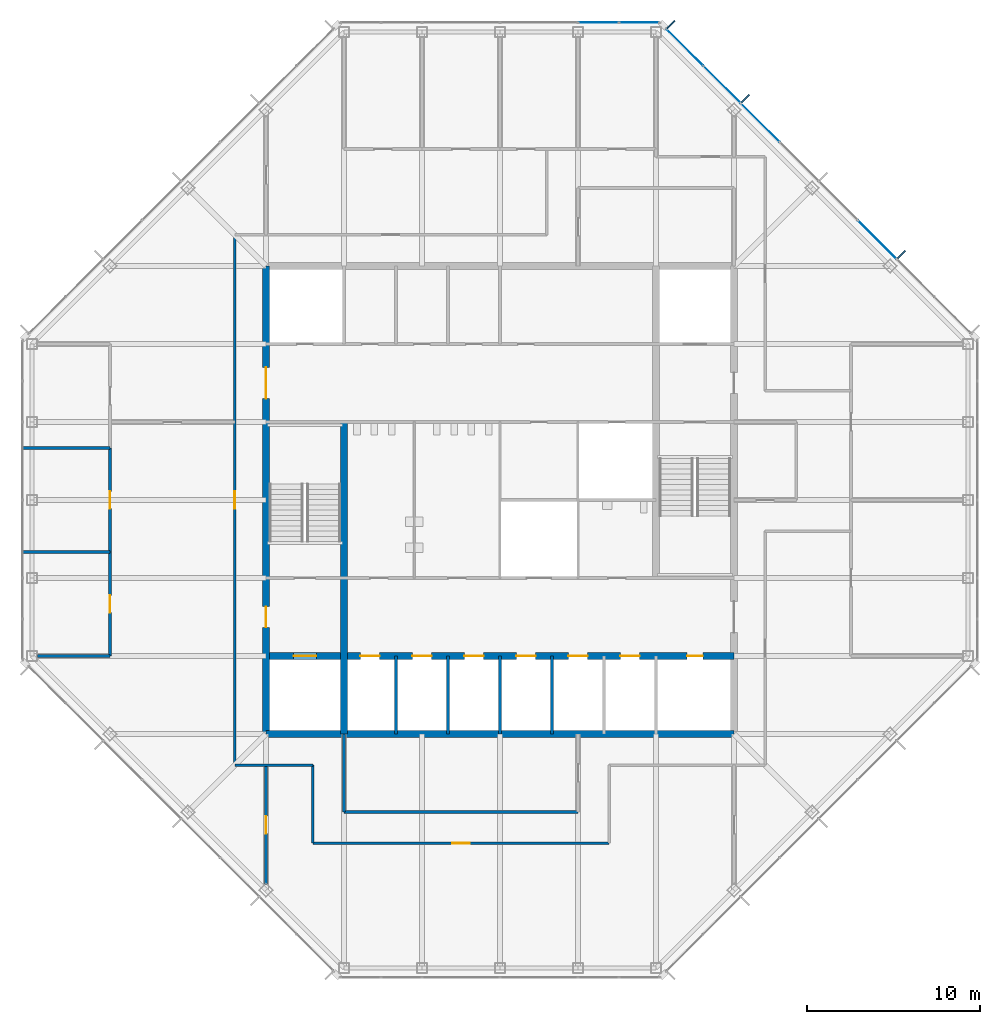
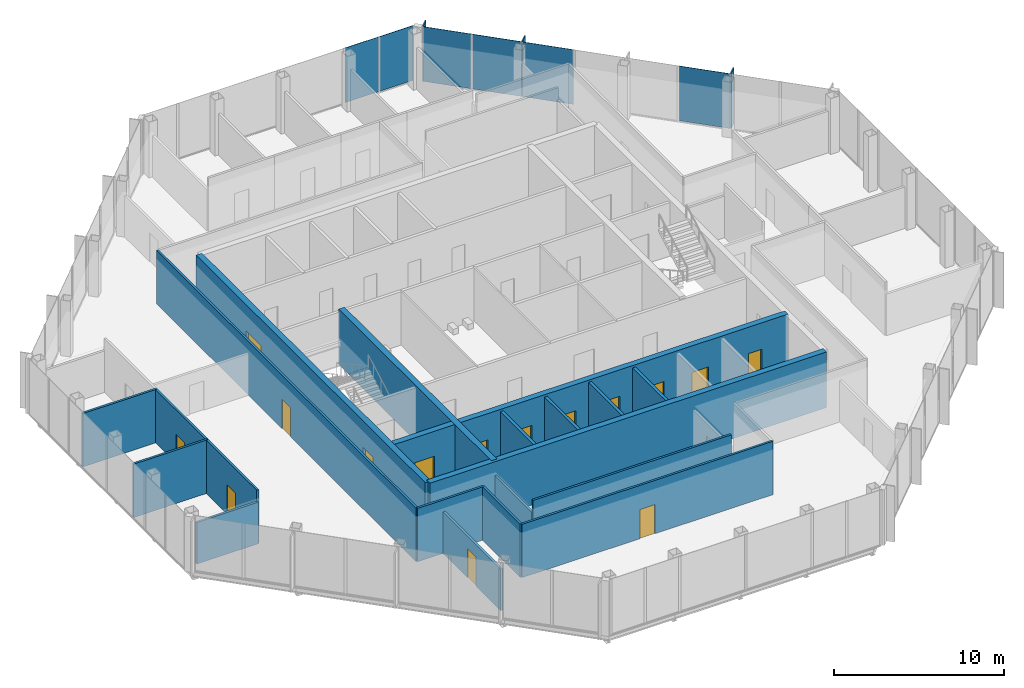
# One storey, part 9 of 14: 20 walls, 15 doors, 9 plates, 15 openings, 2 elements without a shape of their own.
"""IFC4 building model written with IfcOpenShell, lengths in metres."""

import ifcopenshell
import ifcopenshell.guid

model = None  # the IFC model being written
_history = None  # IfcOwnerHistory: only IFC2X3 demands one
_inside = {}  # id of a spatial element -> (the spatial element, [elements in it])
_under = {}  # id of a project, library or spatial element -> (it, [spatial elements below it])
_declared = {}  # id of a project -> (the project, [libraries it declares])
_typed = {}  # id of a type object -> (the type object, [elements of that type])
_made_of = {}  # id of a material, layer set ... -> (it, [elements and type objects made of it])


def new_model(schema):
    """Start an empty IFC model of exactly this schema.

    Asked for "IFC4X3", IfcOpenShell would pick the latest addendum, in which some entities
    have other attributes; the version numbers below select the first issue.
    IFC2X3 requires an IfcOwnerHistory on every rooted entity: one is made here for all.
    """
    global model, _history
    if schema == "IFC4X3":
        model = ifcopenshell.file(schema_version=(4, 3, 0, 0))
    else:
        model = ifcopenshell.file(schema=schema)
    _inside.clear()
    _under.clear()
    _declared.clear()
    _typed.clear()
    _made_of.clear()
    _history = None
    if model.schema == "IFC2X3":
        org = make("IfcOrganization", Name="unknown")
        user = make(
            "IfcPersonAndOrganization",
            ThePerson=make("IfcPerson", FamilyName="unknown"),
            TheOrganization=org,
        )
        app = make(
            "IfcApplication",
            ApplicationDeveloper=org,
            Version="unknown",
            ApplicationFullName="unknown",
            ApplicationIdentifier="unknown",
        )
        _history = make(
            "IfcOwnerHistory",
            OwningUser=user,
            OwningApplication=app,
            ChangeAction="ADDED",
            CreationDate=0,
        )
    return model


def make(cls, **values):
    """One entity of the class cls with the attributes given. An attribute that is None is left unset."""
    return model.create_entity(
        cls, **{name: value for name, value in values.items() if value is not None}
    )


def rooted(cls, **values):
    """An entity with a GlobalId (a new one), such as an element, a storey or a relation."""
    return make(cls, GlobalId=ifcopenshell.guid.new(), OwnerHistory=_history, **values)


def si_unit(unit_type, name, prefix=None):
    """IfcSIUnit, for example si_unit("LENGTHUNIT", "METRE", prefix="MILLI")."""
    return make("IfcSIUnit", UnitType=unit_type, Prefix=prefix, Name=name)


def assignment(units):
    """IfcUnitAssignment: the units of a project."""
    return None if units is None else make("IfcUnitAssignment", Units=units)


def point(xyz):
    """IfcCartesianPoint."""
    return None if xyz is None else make("IfcCartesianPoint", Coordinates=xyz)


def direction(xyz):
    """IfcDirection."""
    return None if xyz is None else make("IfcDirection", DirectionRatios=xyz)


def frame(location, z_axis=None, x_axis=None):
    """IfcAxis2Placement3D, a coordinate frame: its origin and axes. An axis left out is left unset."""
    return make(
        "IfcAxis2Placement3D",
        Location=point(location),
        Axis=direction(z_axis),
        RefDirection=direction(x_axis),
    )


def frame_2d(location, x_axis=None):
    """IfcAxis2Placement2D, a coordinate frame in the plane: its origin and x axis."""
    return make(
        "IfcAxis2Placement2D", Location=point(location), RefDirection=direction(x_axis)
    )


def origin():
    """The frame at (0, 0, 0) with its axes left unset."""
    return frame((0.0, 0.0, 0.0))


def origin_2d():
    """The frame at (0, 0) in the plane with its x axis left unset."""
    return frame_2d((0.0, 0.0))


def place(relative_to, where):
    """IfcLocalPlacement: puts the frame where relative to a parent placement (None: the world)."""
    return make(
        "IfcLocalPlacement", PlacementRelTo=relative_to, RelativePlacement=where
    )


def context(
    kind, dimensions, precision=None, world=None, true_north=None, identifier=None
):
    """IfcGeometricRepresentationContext, for example the 3D "Model" context."""
    return make(
        "IfcGeometricRepresentationContext",
        ContextIdentifier=identifier,
        ContextType=kind,
        CoordinateSpaceDimension=dimensions,
        Precision=precision,
        WorldCoordinateSystem=world,
        TrueNorth=true_north,
    )


def subcontext(parent, identifier, kind, view, scale=None):
    """IfcGeometricRepresentationSubContext, for example "Body" below "Model"."""
    return make(
        "IfcGeometricRepresentationSubContext",
        ContextIdentifier=identifier,
        ContextType=kind,
        ParentContext=parent,
        TargetScale=scale,
        TargetView=view,
    )


def project(units=None, contexts=None):
    """IfcProject with its units and contexts."""
    return rooted(
        "IfcProject",
        Name="project",
        RepresentationContexts=contexts,
        UnitsInContext=assignment(units),
    )


def spatial(cls, under=None, at=None, **own):
    """A site, building, storey or space (cls), placed at a placement, below another one or the project."""
    s = rooted(cls, ObjectPlacement=at, **own)
    if under is not None:
        _under.setdefault(under.id(), (under, []))[1].append(s)
    return s


def profile(cls, at=None, kind="AREA", **sizes):
    """A parametric profile (cls). Its sizes go by their IFC names, for example OverallWidth=200.0."""
    return make(cls, ProfileType=kind, Position=at, **sizes)


def rectangle(**sizes):
    """IfcRectangleProfileDef."""
    return profile("IfcRectangleProfileDef", **sizes)


def extrude(swept, where, along, depth):
    """IfcExtrudedAreaSolid: the profile swept, set in the frame where, extruded along a direction by depth."""
    return make(
        "IfcExtrudedAreaSolid",
        SweptArea=swept,
        Position=where,
        ExtrudedDirection=direction(along),
        Depth=depth,
    )


def shape(context_of_items, identifier, shape_type, items):
    """IfcShapeRepresentation: the items that make up one representation, for example the "Body"."""
    return make(
        "IfcShapeRepresentation",
        ContextOfItems=context_of_items,
        RepresentationIdentifier=identifier,
        RepresentationType=shape_type,
        Items=items,
    )


def material(Name=None, Category=None):
    """IfcMaterial."""
    return make("IfcMaterial", Name=Name, Category=Category)


def layer(
    of_material, thickness, ventilated=None, Name=None, Category=None, Priority=None
):
    """IfcMaterialLayer: one layer of a wall or slab, of a material (None: an air gap)."""
    return make(
        "IfcMaterialLayer",
        Material=of_material,
        LayerThickness=thickness,
        IsVentilated=ventilated,
        Name=Name,
        Category=Category,
        Priority=Priority,
    )


def layer_set(layers, Name=None):
    """IfcMaterialLayerSet."""
    return make("IfcMaterialLayerSet", MaterialLayers=layers, LayerSetName=Name)


def made_of(thing, what):
    """Note that an element or type object is made of a material, layer set ...; save() writes the relation."""
    if what is not None:
        _made_of.setdefault(what.id(), (what, []))[1].append(thing)
    return thing


def type_object(cls, material=None, **own):
    """A type object (cls), such as IfcWallType, which elements share."""
    return made_of(rooted(cls, **own), material)


def element(
    cls,
    number,
    at=None,
    inside=None,
    cuts=None,
    type_object=None,
    material=None,
    context=None,
    identifier="Body",
    shape_type=None,
    held_by="IfcProductDefinitionShape",
    body=None,
    shapes=None,
    **own,
):
    """One element of the class cls, such as IfcWall. Its Tag is "e" and its number.

    at: its placement. inside: the storey or other place that contains it. cuts: it is an
    opening in that element (IfcRelVoidsElement). A single representation is given by context,
    identifier, shape_type and body (its items); several are given by shapes. held_by: the class
    of the entity that holds the representations. save() writes the other relations.
    """
    e = rooted(cls, Tag="e%d" % number, ObjectPlacement=at, **own)
    if body is not None:
        shapes = [shape(context, identifier, shape_type, body)]
    if shapes is not None:
        e.Representation = make(held_by, Representations=shapes)
    if inside is not None:
        _inside.setdefault(inside.id(), (inside, []))[1].append(e)
    if cuts is not None:
        rooted(
            "IfcRelVoidsElement", RelatingBuildingElement=cuts, RelatedOpeningElement=e
        )
    if type_object is not None:
        _typed.setdefault(type_object.id(), (type_object, []))[1].append(e)
    return made_of(e, material)


def fill(opening, filler):
    """IfcRelFillsElement: the door or window that sits in an opening."""
    return rooted(
        "IfcRelFillsElement",
        RelatingOpeningElement=opening,
        RelatedBuildingElement=filler,
    )


def aggregate(whole, parts):
    """IfcRelAggregates: a whole, such as a stair, and the parts it consists of."""
    return rooted("IfcRelAggregates", RelatingObject=whole, RelatedObjects=parts)


def save(model, path):
    """Write the relations noted so far, then the file.

    IfcRelAggregates (storeys below a building ...), IfcRelContainedInSpatialStructure (elements
    in a storey), IfcRelDefinesByType, IfcRelAssociatesMaterial and IfcRelDeclares: one each for
    every whole, place, type object, material and project.
    """
    for whole, parts in _under.values():
        aggregate(whole, parts)
    for where, things in _inside.values():
        rooted(
            "IfcRelContainedInSpatialStructure",
            RelatedElements=things,
            RelatingStructure=where,
        )
    for kind, things in _typed.values():
        rooted("IfcRelDefinesByType", RelatedObjects=things, RelatingType=kind)
    for what, things in _made_of.values():
        rooted("IfcRelAssociatesMaterial", RelatedObjects=things, RelatingMaterial=what)
    for by, libraries in _declared.values():
        rooted("IfcRelDeclares", RelatingContext=by, RelatedDefinitions=libraries)
    model.write(path)


model = new_model("IFC4")

# Units and contexts
model_context = context("Model", 3, precision=1e-05, world=origin(), true_north=direction((0.0, 1.0)))
body_context = subcontext(model_context, "Body", "Model", "MODEL_VIEW")
ifc_project = project(units=[si_unit("LENGTHUNIT", "METRE"), si_unit("AREAUNIT", "SQUARE_METRE"), si_unit("VOLUMEUNIT", "CUBIC_METRE"), si_unit("PLANEANGLEUNIT", "RADIAN"), si_unit("MASSUNIT", "GRAM", prefix="KILO")], contexts=[model_context])

# Site, building, storey
site_placement = place(None, origin())
site = spatial("IfcSite", under=ifc_project, at=site_placement, CompositionType="ELEMENT")
building_placement = place(site_placement, origin())
building = spatial("IfcBuilding", under=site, at=building_placement, Name="Corais Broadcast Tower", CompositionType="ELEMENT")
storey_placement = place(building_placement, frame((0.0, 0.0, 290.60009765625)))
storey = spatial("IfcBuildingStorey", under=building, at=storey_placement, Name="L68", CompositionType="ELEMENT", Elevation=290.60009765625)

# Curtain wall, plate
ifc_material_1 = material(Name="Aluminium and glass", Category="aluminium")
curtain_wall_type = type_object("IfcCurtainWallType", Name="Unitised fritted curtain wall CW3", PredefinedType="NOTDEFINED", material=ifc_material_1)
curtain_wall_1_placement = place(storey_placement, origin())
curtain_wall_1 = element("IfcCurtainWall", 1, at=curtain_wall_1_placement, inside=storey, type_object=curtain_wall_type, Name="CW3 curtain wall L68 4", PredefinedType="NOTDEFINED")
ifc_material_2 = material(Name="Ceramic-fritted laminated glass", Category="glass")
ifc_layer_1 = layer(ifc_material_2, 0.02587890625)
ifc_layer_set_1 = layer_set([ifc_layer_1], Name="Ceramic-fritted laminated glass")
plate_type_1 = type_object("IfcPlateType", Name="Fritted glass panel CW3", PredefinedType="CURTAIN_PANEL", material=ifc_layer_set_1)
plate_1_placement = place(storey_placement, frame((32.681884765625, 54.550048828125, 0.06494140625), z_axis=(0.0, 0.0, 1.0), x_axis=(1.0, 0.0, 0.0)))
plate_1 = element("IfcPlate", 2, at=plate_1_placement, type_object=plate_type_1, Name="CW3 panel 5", PredefinedType="CURTAIN_PANEL", context=body_context, shape_type="SweptSolid", body=[
    extrude(rectangle(XDim=2.298828125, YDim=0.02587890625, at=origin_2d()), origin(), (0.0, 0.0, 1.0), 3.93505859375),
])

# Curtain wall, plates
curtain_wall_2_placement = place(storey_placement, origin())
curtain_wall_2 = element("IfcCurtainWall", 3, at=curtain_wall_2_placement, inside=storey, type_object=curtain_wall_type, Name="CW3 curtain wall L68 5", PredefinedType="NOTDEFINED")
plate_2_placement = place(storey_placement, frame((37.669677734375, 53.108154296875, 0.06494140625), z_axis=(0.0, 0.0, 1.0), x_axis=(0.707106781187, -0.707106781187, 0.0)))
plate_2 = element("IfcPlate", 4, at=plate_2_placement, type_object=plate_type_1, Name="CW3 panel 1", PredefinedType="CURTAIN_PANEL", context=body_context, shape_type="SweptSolid", body=[
    extrude(rectangle(XDim=2.9482421875, YDim=0.02587890625, at=origin_2d()), origin(), (0.0, 0.0, 1.0), 3.93505859375),
])
plate_3_placement = place(storey_placement, frame((42.013916015625, 48.763916015625, 0.06494140625), z_axis=(0.0, 0.0, 1.0), x_axis=(0.707106781187, -0.707106781187, 0.0)))
plate_3 = element("IfcPlate", 5, at=plate_3_placement, type_object=plate_type_1, Name="CW3 panel 3", PredefinedType="CURTAIN_PANEL", context=body_context, shape_type="SweptSolid", body=[
    extrude(rectangle(XDim=3.116943359375, YDim=0.02587890625, at=origin_2d()), origin(), (0.0, 0.0, 1.0), 3.93505859375),
])

# Plate
ifc_material_3 = material(Name="Clear laminated glass", Category="glass")
ifc_layer_2 = layer(ifc_material_3, 0.030029296875)
ifc_layer_set_2 = layer_set([ifc_layer_2], Name="Clear laminated glass")
plate_type_2 = type_object("IfcPlateType", Name="Operable glass panel CW3", PredefinedType="CURTAIN_PANEL", material=ifc_layer_set_2)
plate_4_placement = place(storey_placement, frame((35.029541015625, 54.550048828125, 0.06494140625), z_axis=(0.0, 0.0, 1.0), x_axis=(1.0, 0.0, 0.0)))
plate_4 = element("IfcPlate", 6, at=plate_4_placement, type_object=plate_type_2, Name="CW3 operable panel 6", PredefinedType="CURTAIN_PANEL", context=body_context, shape_type="SweptSolid", body=[
    extrude(rectangle(XDim=2.266357421875, YDim=0.030029296875, at=origin_2d()), origin(), (0.0, 0.0, 1.0), 3.93505859375),
])

aggregate(curtain_wall_1, [plate_1, plate_4])

plate_5_placement = place(storey_placement, frame((39.81201171875, 50.9658203125, 0.06494140625), z_axis=(0.0, 0.0, 1.0), x_axis=(0.707106781187, -0.707106781187, 0.0)))
plate_5 = element("IfcPlate", 7, at=plate_5_placement, type_object=plate_type_2, Name="CW3 operable panel 2", PredefinedType="CURTAIN_PANEL", context=body_context, shape_type="SweptSolid", body=[
    extrude(rectangle(XDim=2.98095703125, YDim=0.030029296875, at=origin_2d()), origin(), (0.0, 0.0, 1.0), 3.93505859375),
])

plate_6_placement = place(storey_placement, frame((48.763916015625, 42.013916015625, 0.06494140625), z_axis=(0.0, 0.0, 1.0), x_axis=(0.707106781187, -0.707106781187, 0.0)))
plate_6 = element("IfcPlate", 8, at=plate_6_placement, type_object=plate_type_2, Name="CW3 operable panel 6", PredefinedType="CURTAIN_PANEL", context=body_context, shape_type="SweptSolid", body=[
    extrude(rectangle(XDim=3.116943359375, YDim=0.030029296875, at=origin_2d()), origin(), (0.0, 0.0, 1.0), 3.93505859375),
])

aggregate(curtain_wall_2, [plate_2, plate_5, plate_3, plate_6])

# Plates
ifc_material_4 = material(Name="Granite stone cladding", Category="masonry")
ifc_layer_3 = layer(ifc_material_4, 0.080078125)
ifc_layer_set_3 = layer_set([ifc_layer_3], Name="Granite stone cladding")
plate_type_3 = type_object("IfcPlateType", Name="Stone screen fin 80x600", PredefinedType="USERDEFINED", material=ifc_layer_set_3)
for number, where, z_axis, x_axis, name in (
    (9, (36.870849609375, 54.43994140625, 0.0), (0.0, 0.0, 1.0), (0.707106781187, -0.707106781187, 0.0), "SF1 stone screen fin L68"),
    (10, (41.155517578125, 50.155517578125, 0.0), (0.0, 0.0, 1.0), (0.707106781187, -0.707106781187, 0.0), "SF1 stone screen fin L68"),
    (11, (50.155517578125, 41.155517578125, 0.0), (0.0, 0.0, 1.0), (0.707106781187, -0.707106781187, 0.0), "SF1 stone screen fin L68"),
):
    element("IfcPlate", number, at=place(storey_placement, frame(where, z_axis=z_axis, x_axis=x_axis)), inside=storey, type_object=plate_type_3, Name=name, ObjectType="STONE SCREEN FIN", PredefinedType="USERDEFINED", context=body_context, shape_type="SweptSolid", body=[
        extrude(rectangle(XDim=0.080078125, YDim=0.60009765625, at=origin_2d()), origin(), (0.0, 0.0, 1.0), 4.0),
    ])

# Wall
ifc_material_5 = material(Name="Concrete C50/60", Category="concrete")
ifc_layer_4 = layer(ifc_material_5, 0.39990234375)
ifc_layer_set_4 = layer_set([ifc_layer_4], Name="Concrete C50/60")
wall_type_1 = type_object("IfcWallType", Name="Core wall 400", PredefinedType="SHEAR", material=ifc_layer_set_4)
wall_1_placement = place(storey_placement, frame((13.5, 13.5, 0.0), z_axis=(0.0, 0.0, 1.0), x_axis=(1.0, 0.0, 0.0)))
element("IfcWall", 12, at=wall_1_placement, inside=storey, type_object=wall_type_1, Name="CR400 core wall S L68", PredefinedType="SHEAR", context=body_context, shape_type="SweptSolid", body=[
    extrude(rectangle(XDim=27.0, YDim=0.39990234375, at=frame_2d((13.5, 0.0))), origin(), (0.0, 0.0, 1.0), 4.0),
])

# Wall, openings, doors
wall_2_placement = place(storey_placement, frame((13.5, 40.5, 0.0), z_axis=(0.0, 0.0, 1.0), x_axis=(0.0, -1.0, 0.0)))
wall_2 = element("IfcWall", 13, at=wall_2_placement, inside=storey, type_object=wall_type_1, Name="CR400 core wall W L68", PredefinedType="SHEAR", context=body_context, shape_type="SweptSolid", body=[
    extrude(rectangle(XDim=27.0, YDim=0.39990234375, at=frame_2d((13.5, 0.0))), origin(), (0.0, 0.0, 1.0), 4.0),
])
opening_1_placement = place(wall_2_placement, frame((19.64990234375, 0.0, 0.0)))
opening_1 = element("IfcOpeningElement", 14, at=opening_1_placement, cuts=wall_2, Name="Opening FD1", PredefinedType="OPENING", context=body_context, shape_type="SweptSolid", body=[
    extrude(rectangle(XDim=1.199951171875, YDim=2.10009765625, at=frame_2d((0.60009765625, 1.050048828125))), frame((0.0, 0.2099609375, 0.0), z_axis=(0.0, -1.0, 0.0), x_axis=(1.0, 0.0, 0.0)), (0.0, 0.0, 1.0), 0.419921875),
])
opening_2_placement = place(wall_2_placement, frame((5.85009765625, 0.0, 0.0)))
opening_2 = element("IfcOpeningElement", 15, at=opening_2_placement, cuts=wall_2, Name="Opening FD2", PredefinedType="OPENING", context=body_context, shape_type="SweptSolid", body=[
    extrude(rectangle(XDim=1.800048828125, YDim=2.10009765625, at=frame_2d((0.89990234375, 1.050048828125))), frame((0.0, 0.2099609375, 0.0), z_axis=(0.0, -1.0, 0.0), x_axis=(1.0, 0.0, 0.0)), (0.0, 0.0, 1.0), 0.419921875),
])
ifc_material_6 = material(Name="Steel fire door", Category="steel")
door_type_1 = type_object("IfcDoorType", Name="Fire door 1200x2100", OperationType="SINGLE_SWING_LEFT", PredefinedType="DOOR", material=ifc_material_6)
door_1_placement = place(opening_1_placement, origin())
door_1 = element("IfcDoor", 16, at=door_1_placement, inside=storey, type_object=door_type_1, Name="FD1 fire lobby A door L68", OperationType="SINGLE_SWING_RIGHT", OverallHeight=2.10009765625, OverallWidth=1.199951171875, PredefinedType="DOOR", context=body_context, shape_type="SweptSolid", body=[
    extrude(rectangle(XDim=1.199951171875, YDim=2.10009765625, at=frame_2d((0.60009765625, 1.050048828125))), frame((0.0, 0.02490234375, 0.0), z_axis=(0.0, -1.0, 0.0), x_axis=(1.0, 0.0, 0.0)), (0.0, 0.0, 1.0), 0.050048828125),
])
fill(opening_1, door_1)
ifc_material_7 = material(Name="Steel fire door", Category="steel")
door_type_2 = type_object("IfcDoorType", Name="Fire door pair 1800x2100", OperationType="DOUBLE_DOOR_SINGLE_SWING", PredefinedType="DOOR", material=ifc_material_7)
door_2_placement = place(opening_2_placement, origin())
door_2 = element("IfcDoor", 17, at=door_2_placement, inside=storey, type_object=door_type_2, Name="FD2 lift lobby door L68", OperationType="SINGLE_SWING_LEFT", OverallHeight=2.10009765625, OverallWidth=1.800048828125, PredefinedType="DOOR", context=body_context, shape_type="SweptSolid", body=[
    extrude(rectangle(XDim=1.800048828125, YDim=2.10009765625, at=frame_2d((0.89990234375, 1.050048828125))), frame((0.0, 0.02490234375, 0.0), z_axis=(0.0, -1.0, 0.0), x_axis=(1.0, 0.0, 0.0)), (0.0, 0.0, 1.0), 0.050048828125),
])
fill(opening_2, door_2)

# Wall
wall_3_placement = place(storey_placement, frame((18.0, 13.5, 0.0), z_axis=(0.0, 0.0, 1.0), x_axis=(0.0, 1.0, 0.0)))
element("IfcWall", 18, at=wall_3_placement, inside=storey, type_object=wall_type_1, Name="CR400 core wall X18A L68", PredefinedType="SHEAR", context=body_context, shape_type="SweptSolid", body=[
    extrude(rectangle(XDim=18.0, YDim=0.39990234375, at=frame_2d((9.0, 0.0))), origin(), (0.0, 0.0, 1.0), 4.0),
])

# Wall, openings, doors
wall_4_placement = place(storey_placement, frame((13.5, 18.0, 0.0), z_axis=(0.0, 0.0, 1.0), x_axis=(1.0, 0.0, 0.0)))
wall_4 = element("IfcWall", 19, at=wall_4_placement, inside=storey, type_object=wall_type_1, Name="CR400 core wall Y18 L68", PredefinedType="SHEAR", context=body_context, shape_type="SweptSolid", body=[
    extrude(rectangle(XDim=27.0, YDim=0.39990234375, at=frame_2d((13.5, 0.0))), origin(), (0.0, 0.0, 1.0), 4.0),
])
opening_3_placement = place(wall_4_placement, frame((24.300048828125, 0.0, 0.0)))
opening_3 = element("IfcOpeningElement", 20, at=opening_3_placement, cuts=wall_4, Name="Opening RD1", PredefinedType="OPENING", context=body_context, shape_type="SweptSolid", body=[
    extrude(rectangle(XDim=0.89990234375, YDim=2.10009765625, at=frame_2d((0.449951171875, 1.050048828125))), frame((0.0, 0.2099609375, 0.0), z_axis=(0.0, -1.0, 0.0), x_axis=(1.0, 0.0, 0.0)), (0.0, 0.0, 1.0), 0.419921875),
])
opening_4_placement = place(wall_4_placement, frame((5.449951171875, 0.0, 0.0)))
opening_4 = element("IfcOpeningElement", 21, at=opening_4_placement, cuts=wall_4, Name="Opening LD1", PredefinedType="OPENING", context=body_context, shape_type="SweptSolid", body=[
    extrude(rectangle(XDim=1.10009765625, YDim=2.10009765625, at=frame_2d((0.550048828125, 1.050048828125))), frame((0.0, 0.2099609375, 0.0), z_axis=(0.0, -1.0, 0.0), x_axis=(1.0, 0.0, 0.0)), (0.0, 0.0, 1.0), 0.419921875),
])
opening_5_placement = place(wall_4_placement, frame((8.449951171875, 0.0, 0.0)))
opening_5 = element("IfcOpeningElement", 22, at=opening_5_placement, cuts=wall_4, Name="Opening LD1", PredefinedType="OPENING", context=body_context, shape_type="SweptSolid", body=[
    extrude(rectangle(XDim=1.10009765625, YDim=2.10009765625, at=frame_2d((0.550048828125, 1.050048828125))), frame((0.0, 0.2099609375, 0.0), z_axis=(0.0, -1.0, 0.0), x_axis=(1.0, 0.0, 0.0)), (0.0, 0.0, 1.0), 0.419921875),
])
opening_6_placement = place(wall_4_placement, frame((11.449951171875, 0.0, 0.0)))
opening_6 = element("IfcOpeningElement", 23, at=opening_6_placement, cuts=wall_4, Name="Opening LD1", PredefinedType="OPENING", context=body_context, shape_type="SweptSolid", body=[
    extrude(rectangle(XDim=1.10009765625, YDim=2.10009765625, at=frame_2d((0.550048828125, 1.050048828125))), frame((0.0, 0.2099609375, 0.0), z_axis=(0.0, -1.0, 0.0), x_axis=(1.0, 0.0, 0.0)), (0.0, 0.0, 1.0), 0.419921875),
])
opening_7_placement = place(wall_4_placement, frame((14.449951171875, 0.0, 0.0)))
opening_7 = element("IfcOpeningElement", 24, at=opening_7_placement, cuts=wall_4, Name="Opening LD1", PredefinedType="OPENING", context=body_context, shape_type="SweptSolid", body=[
    extrude(rectangle(XDim=1.10009765625, YDim=2.10009765625, at=frame_2d((0.550048828125, 1.050048828125))), frame((0.0, 0.2099609375, 0.0), z_axis=(0.0, -1.0, 0.0), x_axis=(1.0, 0.0, 0.0)), (0.0, 0.0, 1.0), 0.419921875),
])
opening_8_placement = place(wall_4_placement, frame((17.449951171875, 0.0, 0.0)))
opening_8 = element("IfcOpeningElement", 25, at=opening_8_placement, cuts=wall_4, Name="Opening LD1", PredefinedType="OPENING", context=body_context, shape_type="SweptSolid", body=[
    extrude(rectangle(XDim=1.10009765625, YDim=2.10009765625, at=frame_2d((0.550048828125, 1.050048828125))), frame((0.0, 0.2099609375, 0.0), z_axis=(0.0, -1.0, 0.0), x_axis=(1.0, 0.0, 0.0)), (0.0, 0.0, 1.0), 0.419921875),
])
opening_9_placement = place(wall_4_placement, frame((20.449951171875, 0.0, 0.0)))
opening_9 = element("IfcOpeningElement", 26, at=opening_9_placement, cuts=wall_4, Name="Opening LD1", PredefinedType="OPENING", context=body_context, shape_type="SweptSolid", body=[
    extrude(rectangle(XDim=1.10009765625, YDim=2.10009765625, at=frame_2d((0.550048828125, 1.050048828125))), frame((0.0, 0.2099609375, 0.0), z_axis=(0.0, -1.0, 0.0), x_axis=(1.0, 0.0, 0.0)), (0.0, 0.0, 1.0), 0.419921875),
])
opening_10_placement = place(wall_4_placement, frame((1.60009765625, 0.0, 0.0)))
opening_10 = element("IfcOpeningElement", 27, at=opening_10_placement, cuts=wall_4, Name="Opening LD2", PredefinedType="OPENING", context=body_context, shape_type="SweptSolid", body=[
    extrude(rectangle(XDim=1.300048828125, YDim=2.199951171875, at=frame_2d((0.64990234375, 1.10009765625))), frame((0.0, 0.2099609375, 0.0), z_axis=(0.0, -1.0, 0.0), x_axis=(1.0, 0.0, 0.0)), (0.0, 0.0, 1.0), 0.419921875),
])
ifc_material_8 = material(Name="Stainless steel lift door", Category="steel")
door_type_3 = type_object("IfcDoorType", Name="Lift landing door 1100x2100", OperationType="SLIDING_TO_LEFT", PredefinedType="DOOR", material=ifc_material_8)
door_3_placement = place(opening_4_placement, origin())
door_3 = element("IfcDoor", 28, at=door_3_placement, inside=storey, type_object=door_type_3, Name="LD1 PH1 landing door L68", OperationType="SLIDING_TO_LEFT", OverallHeight=2.10009765625, OverallWidth=1.10009765625, PredefinedType="DOOR", context=body_context, shape_type="SweptSolid", body=[
    extrude(rectangle(XDim=1.10009765625, YDim=2.10009765625, at=frame_2d((0.550048828125, 1.050048828125))), frame((0.0, 0.02490234375, 0.0), z_axis=(0.0, -1.0, 0.0), x_axis=(1.0, 0.0, 0.0)), (0.0, 0.0, 1.0), 0.050048828125),
])
fill(opening_4, door_3)
door_4_placement = place(opening_5_placement, origin())
door_4 = element("IfcDoor", 29, at=door_4_placement, inside=storey, type_object=door_type_3, Name="LD1 PH2 landing door L68", OperationType="SLIDING_TO_LEFT", OverallHeight=2.10009765625, OverallWidth=1.10009765625, PredefinedType="DOOR", context=body_context, shape_type="SweptSolid", body=[
    extrude(rectangle(XDim=1.10009765625, YDim=2.10009765625, at=frame_2d((0.550048828125, 1.050048828125))), frame((0.0, 0.02490234375, 0.0), z_axis=(0.0, -1.0, 0.0), x_axis=(1.0, 0.0, 0.0)), (0.0, 0.0, 1.0), 0.050048828125),
])
fill(opening_5, door_4)
door_5_placement = place(opening_6_placement, origin())
door_5 = element("IfcDoor", 30, at=door_5_placement, inside=storey, type_object=door_type_3, Name="LD1 PH3 landing door L68", OperationType="SLIDING_TO_LEFT", OverallHeight=2.10009765625, OverallWidth=1.10009765625, PredefinedType="DOOR", context=body_context, shape_type="SweptSolid", body=[
    extrude(rectangle(XDim=1.10009765625, YDim=2.10009765625, at=frame_2d((0.550048828125, 1.050048828125))), frame((0.0, 0.02490234375, 0.0), z_axis=(0.0, -1.0, 0.0), x_axis=(1.0, 0.0, 0.0)), (0.0, 0.0, 1.0), 0.050048828125),
])
fill(opening_6, door_5)
door_6_placement = place(opening_7_placement, origin())
door_6 = element("IfcDoor", 31, at=door_6_placement, inside=storey, type_object=door_type_3, Name="LD1 PH4 landing door L68", OperationType="SLIDING_TO_LEFT", OverallHeight=2.10009765625, OverallWidth=1.10009765625, PredefinedType="DOOR", context=body_context, shape_type="SweptSolid", body=[
    extrude(rectangle(XDim=1.10009765625, YDim=2.10009765625, at=frame_2d((0.550048828125, 1.050048828125))), frame((0.0, 0.02490234375, 0.0), z_axis=(0.0, -1.0, 0.0), x_axis=(1.0, 0.0, 0.0)), (0.0, 0.0, 1.0), 0.050048828125),
])
fill(opening_7, door_6)
door_7_placement = place(opening_8_placement, origin())
door_7 = element("IfcDoor", 32, at=door_7_placement, inside=storey, type_object=door_type_3, Name="LD1 PH5 landing door L68", OperationType="SLIDING_TO_LEFT", OverallHeight=2.10009765625, OverallWidth=1.10009765625, PredefinedType="DOOR", context=body_context, shape_type="SweptSolid", body=[
    extrude(rectangle(XDim=1.10009765625, YDim=2.10009765625, at=frame_2d((0.550048828125, 1.050048828125))), frame((0.0, 0.02490234375, 0.0), z_axis=(0.0, -1.0, 0.0), x_axis=(1.0, 0.0, 0.0)), (0.0, 0.0, 1.0), 0.050048828125),
])
fill(opening_8, door_7)
door_8_placement = place(opening_9_placement, origin())
door_8 = element("IfcDoor", 33, at=door_8_placement, inside=storey, type_object=door_type_3, Name="LD1 PH6 landing door L68", OperationType="SLIDING_TO_LEFT", OverallHeight=2.10009765625, OverallWidth=1.10009765625, PredefinedType="DOOR", context=body_context, shape_type="SweptSolid", body=[
    extrude(rectangle(XDim=1.10009765625, YDim=2.10009765625, at=frame_2d((0.550048828125, 1.050048828125))), frame((0.0, 0.02490234375, 0.0), z_axis=(0.0, -1.0, 0.0), x_axis=(1.0, 0.0, 0.0)), (0.0, 0.0, 1.0), 0.050048828125),
])
fill(opening_9, door_8)
ifc_material_9 = material(Name="Stainless steel lift door", Category="steel")
door_type_4 = type_object("IfcDoorType", Name="Lift landing door 1300x2200", OperationType="SLIDING_TO_LEFT", PredefinedType="DOOR", material=ifc_material_9)
door_9_placement = place(opening_10_placement, origin())
door_9 = element("IfcDoor", 34, at=door_9_placement, inside=storey, type_object=door_type_4, Name="LD2 FL1 landing door L68", OperationType="SLIDING_TO_LEFT", OverallHeight=2.199951171875, OverallWidth=1.300048828125, PredefinedType="DOOR", context=body_context, shape_type="SweptSolid", body=[
    extrude(rectangle(XDim=1.300048828125, YDim=2.199951171875, at=frame_2d((0.64990234375, 1.10009765625))), frame((0.0, 0.02490234375, 0.0), z_axis=(0.0, -1.0, 0.0), x_axis=(1.0, 0.0, 0.0)), (0.0, 0.0, 1.0), 0.050048828125),
])
fill(opening_10, door_9)
ifc_material_10 = material(Name="Steel fire door", Category="steel")
door_type_5 = type_object("IfcDoorType", Name="Riser door 900x2100", OperationType="SINGLE_SWING_LEFT", PredefinedType="DOOR", material=ifc_material_10)
door_10_placement = place(opening_3_placement, origin())
door_10 = element("IfcDoor", 35, at=door_10_placement, inside=storey, type_object=door_type_5, Name="RD1 riser door L68", OperationType="SINGLE_SWING_RIGHT", OverallHeight=2.10009765625, OverallWidth=0.89990234375, PredefinedType="DOOR", context=body_context, shape_type="SweptSolid", body=[
    extrude(rectangle(XDim=0.89990234375, YDim=2.10009765625, at=frame_2d((0.449951171875, 1.050048828125))), frame((0.0, 0.02490234375, 0.0), z_axis=(0.0, -1.0, 0.0), x_axis=(1.0, 0.0, 0.0)), (0.0, 0.0, 1.0), 0.050048828125),
])
fill(opening_3, door_10)

# Wall, opening, door
ifc_material_11 = material(Name="Gypsum board on steel studs", Category="steel")
ifc_layer_5 = layer(ifc_material_11, 0.14990234375)
ifc_layer_set_5 = layer_set([ifc_layer_5], Name="Gypsum board on steel studs")
wall_type_2 = type_object("IfcWallType", Name="Partition 150", PredefinedType="PARTITIONING", material=ifc_layer_set_5)
wall_5_placement = place(storey_placement, frame((11.699951171875, 42.300048828125, 0.0), z_axis=(0.0, 0.0, 1.0), x_axis=(0.0, -1.0, 0.0)))
wall_5 = element("IfcWall", 36, at=wall_5_placement, inside=storey, type_object=wall_type_2, Name="IW3 corridor wall L68", PredefinedType="PARTITIONING", context=body_context, shape_type="SweptSolid", body=[
    extrude(rectangle(XDim=30.60009765625, YDim=0.14990234375, at=frame_2d((15.300048828125, 0.0))), origin(), (0.0, 0.0, 1.0), 3.83984375),
])
opening_11_placement = place(wall_5_placement, frame((14.800048828125, 0.0, 0.0)))
opening_11 = element("IfcOpeningElement", 37, at=opening_11_placement, cuts=wall_5, Name="Opening D1", PredefinedType="OPENING", context=body_context, shape_type="SweptSolid", body=[
    extrude(rectangle(XDim=1.0, YDim=2.10009765625, at=frame_2d((0.5, 1.050048828125))), frame((0.0, 0.0849609375, 0.0), z_axis=(0.0, -1.0, 0.0), x_axis=(1.0, 0.0, 0.0)), (0.0, 0.0, 1.0), 0.169921875),
])
ifc_material_12 = material(Name="Timber door", Category="wood")
door_type_6 = type_object("IfcDoorType", Name="Single door 1000x2100", OperationType="SINGLE_SWING_LEFT", PredefinedType="DOOR", material=ifc_material_12)
door_11_placement = place(opening_11_placement, origin())
door_11 = element("IfcDoor", 38, at=door_11_placement, inside=storey, type_object=door_type_6, Name="D1 workplace door L68", OperationType="SINGLE_SWING_LEFT", OverallHeight=2.10009765625, OverallWidth=1.0, PredefinedType="DOOR", context=body_context, shape_type="SweptSolid", body=[
    extrude(rectangle(XDim=1.0, YDim=2.10009765625, at=frame_2d((0.5, 1.050048828125))), frame((0.0, 0.02490234375, 0.0), z_axis=(0.0, -1.0, 0.0), x_axis=(1.0, 0.0, 0.0)), (0.0, 0.0, 1.0), 0.050048828125),
])
fill(opening_11, door_11)

wall_6_placement = place(storey_placement, frame((16.199951171875, 7.199951171875, 0.0), z_axis=(0.0, 0.0, 1.0), x_axis=(1.0, 0.0, 0.0)))
wall_6 = element("IfcWall", 39, at=wall_6_placement, inside=storey, type_object=wall_type_2, Name="IW3 corridor wall L68", PredefinedType="PARTITIONING", context=body_context, shape_type="SweptSolid", body=[
    extrude(rectangle(XDim=17.10009765625, YDim=0.14990234375, at=frame_2d((8.550048828125, 0.0))), origin(), (0.0, 0.0, 1.0), 3.83984375),
])
opening_12_placement = place(wall_6_placement, frame((8.050048828125, 0.0, 0.0)))
opening_12 = element("IfcOpeningElement", 40, at=opening_12_placement, cuts=wall_6, Name="Opening D1", PredefinedType="OPENING", context=body_context, shape_type="SweptSolid", body=[
    extrude(rectangle(XDim=1.0, YDim=2.10009765625, at=frame_2d((0.5, 1.050048828125))), frame((0.0, 0.0849609375, 0.0), z_axis=(0.0, -1.0, 0.0), x_axis=(1.0, 0.0, 0.0)), (0.0, 0.0, 1.0), 0.169921875),
])
door_12_placement = place(opening_12_placement, origin())
door_12 = element("IfcDoor", 41, at=door_12_placement, inside=storey, type_object=door_type_6, Name="D1 workplace door L68", OperationType="SINGLE_SWING_LEFT", OverallHeight=2.10009765625, OverallWidth=1.0, PredefinedType="DOOR", context=body_context, shape_type="SweptSolid", body=[
    extrude(rectangle(XDim=1.0, YDim=2.10009765625, at=frame_2d((0.5, 1.050048828125))), frame((0.0, 0.02490234375, 0.0), z_axis=(0.0, -1.0, 0.0), x_axis=(1.0, 0.0, 0.0)), (0.0, 0.0, 1.0), 0.050048828125),
])
fill(opening_12, door_12)

# Walls
for number, where, z_axis, x_axis, name in (
    (42, (11.699951171875, 11.699951171875, 0.0), (0.0, 0.0, 1.0), (1.0, 0.0, 0.0), "IW3 corridor wall L68"),
    (43, (16.199951171875, 11.699951171875, 0.0), (0.0, 0.0, 1.0), (0.0, -1.0, 0.0), "IW3 corridor wall L68"),
):
    element("IfcWall", number, at=place(storey_placement, frame(where, z_axis=z_axis, x_axis=x_axis)), inside=storey, type_object=wall_type_2, Name=name, PredefinedType="PARTITIONING", context=body_context, shape_type="SweptSolid", body=[
        extrude(rectangle(XDim=4.5, YDim=0.14990234375, at=frame_2d((2.25, 0.0))), origin(), (0.0, 0.0, 1.0), 3.83984375),
    ])
wall_7_placement = place(storey_placement, frame((0.31005859375, 18.0, 0.0), z_axis=(0.0, 0.0, 1.0), x_axis=(1.0, 0.0, 0.0)))
element("IfcWall", 44, at=wall_7_placement, inside=storey, type_object=wall_type_2, Name="IW3 partition L68", PredefinedType="PARTITIONING", context=body_context, shape_type="SweptSolid", body=[
    extrude(rectangle(XDim=4.18994140625, YDim=0.14990234375, at=frame_2d((2.094970703125, 0.0))), origin(), (0.0, 0.0, 1.0), 2.989013671875),
])

# Wall, opening, door
wall_8_placement = place(storey_placement, frame((4.5, 18.0, 0.0), z_axis=(0.0, 0.0, 1.0), x_axis=(0.0, 1.0, 0.0)))
wall_8 = element("IfcWall", 45, at=wall_8_placement, inside=storey, type_object=wall_type_2, Name="IW3 partition L68", PredefinedType="PARTITIONING", context=body_context, shape_type="SweptSolid", body=[
    extrude(rectangle(XDim=6.0, YDim=0.14990234375, at=frame_2d((3.0, 0.0))), origin(), (0.0, 0.0, 1.0), 3.83984375),
])
opening_13_placement = place(wall_8_placement, frame((2.5, 0.0, 0.0)))
opening_13 = element("IfcOpeningElement", 46, at=opening_13_placement, cuts=wall_8, Name="Opening D1", PredefinedType="OPENING", context=body_context, shape_type="SweptSolid", body=[
    extrude(rectangle(XDim=1.0, YDim=2.10009765625, at=frame_2d((0.5, 1.050048828125))), frame((0.0, 0.0849609375, 0.0), z_axis=(0.0, -1.0, 0.0), x_axis=(1.0, 0.0, 0.0)), (0.0, 0.0, 1.0), 0.169921875),
])
door_13_placement = place(opening_13_placement, origin())
door_13 = element("IfcDoor", 47, at=door_13_placement, inside=storey, type_object=door_type_6, Name="D1 Office door", OperationType="SINGLE_SWING_LEFT", OverallHeight=2.10009765625, OverallWidth=1.0, PredefinedType="DOOR", context=body_context, shape_type="SweptSolid", body=[
    extrude(rectangle(XDim=1.0, YDim=2.10009765625, at=frame_2d((0.5, 1.050048828125))), frame((0.0, 0.02490234375, 0.0), z_axis=(0.0, -1.0, 0.0), x_axis=(1.0, 0.0, 0.0)), (0.0, 0.0, 1.0), 0.050048828125),
])
fill(opening_13, door_13)

# Wall
wall_9_placement = place(storey_placement, frame((4.5, 24.0, 0.0), z_axis=(0.0, 0.0, 1.0), x_axis=(-1.0, 0.0, 0.0)))
element("IfcWall", 48, at=wall_9_placement, inside=storey, type_object=wall_type_2, Name="IW3 partition L68", PredefinedType="PARTITIONING", context=body_context, shape_type="SweptSolid", body=[
    extrude(rectangle(XDim=5.02001953125, YDim=0.14990234375, at=frame_2d((2.510009765625, 0.0))), origin(), (0.0, 0.0, 1.0), 3.83984375),
])

# Wall, opening, door
wall_10_placement = place(storey_placement, frame((4.5, 24.0, 0.0), z_axis=(0.0, 0.0, 1.0), x_axis=(0.0, 1.0, 0.0)))
wall_10 = element("IfcWall", 49, at=wall_10_placement, inside=storey, type_object=wall_type_2, Name="IW3 partition L68", PredefinedType="PARTITIONING", context=body_context, shape_type="SweptSolid", body=[
    extrude(rectangle(XDim=6.0, YDim=0.14990234375, at=frame_2d((3.0, 0.0))), origin(), (0.0, 0.0, 1.0), 3.83984375),
])
opening_14_placement = place(wall_10_placement, frame((2.5, 0.0, 0.0)))
opening_14 = element("IfcOpeningElement", 50, at=opening_14_placement, cuts=wall_10, Name="Opening D1", PredefinedType="OPENING", context=body_context, shape_type="SweptSolid", body=[
    extrude(rectangle(XDim=1.0, YDim=2.10009765625, at=frame_2d((0.5, 1.050048828125))), frame((0.0, 0.0849609375, 0.0), z_axis=(0.0, -1.0, 0.0), x_axis=(1.0, 0.0, 0.0)), (0.0, 0.0, 1.0), 0.169921875),
])
door_14_placement = place(opening_14_placement, origin())
door_14 = element("IfcDoor", 51, at=door_14_placement, inside=storey, type_object=door_type_6, Name="D1 Office door", OperationType="SINGLE_SWING_LEFT", OverallHeight=2.10009765625, OverallWidth=1.0, PredefinedType="DOOR", context=body_context, shape_type="SweptSolid", body=[
    extrude(rectangle(XDim=1.0, YDim=2.10009765625, at=frame_2d((0.5, 1.050048828125))), frame((0.0, 0.02490234375, 0.0), z_axis=(0.0, -1.0, 0.0), x_axis=(1.0, 0.0, 0.0)), (0.0, 0.0, 1.0), 0.050048828125),
])
fill(opening_14, door_14)

# Walls
wall_11_placement = place(storey_placement, frame((4.5, 30.0, 0.0), z_axis=(0.0, 0.0, 1.0), x_axis=(-1.0, 0.0, 0.0)))
element("IfcWall", 52, at=wall_11_placement, inside=storey, type_object=wall_type_2, Name="IW3 partition L68", PredefinedType="PARTITIONING", context=body_context, shape_type="SweptSolid", body=[
    extrude(rectangle(XDim=5.02001953125, YDim=0.14990234375, at=frame_2d((2.510009765625, 0.0))), origin(), (0.0, 0.0, 1.0), 3.83984375),
])
wall_12_placement = place(storey_placement, frame((18.0, 9.0, 0.0), z_axis=(0.0, 0.0, 1.0), x_axis=(1.0, 0.0, 0.0)))
element("IfcWall", 53, at=wall_12_placement, inside=storey, type_object=wall_type_2, Name="IW3 partition L68", PredefinedType="PARTITIONING", context=body_context, shape_type="SweptSolid", body=[
    extrude(rectangle(XDim=13.5, YDim=0.14990234375, at=frame_2d((6.75, 0.0))), origin(), (0.0, 0.0, 1.0), 3.83984375),
])
wall_13_placement = place(storey_placement, frame((18.0, 13.5, 0.0), z_axis=(0.0, 0.0, 1.0), x_axis=(0.0, -1.0, 0.0)))
element("IfcWall", 54, at=wall_13_placement, inside=storey, type_object=wall_type_2, Name="IW3 partition L68", PredefinedType="PARTITIONING", context=body_context, shape_type="SweptSolid", body=[
    extrude(rectangle(XDim=4.5, YDim=0.14990234375, at=frame_2d((2.25, 0.0))), origin(), (0.0, 0.0, 1.0), 2.989013671875),
])

# Wall, opening, door
wall_14_placement = place(storey_placement, frame((13.5, 4.820068359375, 0.0), z_axis=(0.0, 0.0, 1.0), x_axis=(0.0, 1.0, 0.0)))
wall_14 = element("IfcWall", 55, at=wall_14_placement, inside=storey, type_object=wall_type_2, Name="IW3 partition L68", PredefinedType="PARTITIONING", context=body_context, shape_type="SweptSolid", body=[
    extrude(rectangle(XDim=6.8798828125, YDim=0.14990234375, at=frame_2d((3.43994140625, 0.0))), origin(), (0.0, 0.0, 1.0), 2.989013671875),
])
opening_15_placement = place(wall_14_placement, frame((2.93994140625, 0.0, 0.0)))
opening_15 = element("IfcOpeningElement", 56, at=opening_15_placement, cuts=wall_14, Name="Opening D1", PredefinedType="OPENING", context=body_context, shape_type="SweptSolid", body=[
    extrude(rectangle(XDim=1.0, YDim=2.10009765625, at=frame_2d((0.5, 1.050048828125))), frame((0.0, 0.0849609375, 0.0), z_axis=(0.0, -1.0, 0.0), x_axis=(1.0, 0.0, 0.0)), (0.0, 0.0, 1.0), 0.169921875),
])
door_15_placement = place(opening_15_placement, origin())
door_15 = element("IfcDoor", 57, at=door_15_placement, inside=storey, type_object=door_type_6, Name="D1 team room door L68", OperationType="SINGLE_SWING_LEFT", OverallHeight=2.10009765625, OverallWidth=1.0, PredefinedType="DOOR", context=body_context, shape_type="SweptSolid", body=[
    extrude(rectangle(XDim=1.0, YDim=2.10009765625, at=frame_2d((0.5, 1.050048828125))), frame((0.0, 0.02490234375, 0.0), z_axis=(0.0, -1.0, 0.0), x_axis=(1.0, 0.0, 0.0)), (0.0, 0.0, 1.0), 0.050048828125),
])
fill(opening_15, door_15)

# Walls
ifc_material_13 = material(Name="Concrete blockwork class A, grouted, two-hour", Category="masonry")
ifc_layer_6 = layer(ifc_material_13, 0.199951171875)
ifc_layer_set_6 = layer_set([ifc_layer_6], Name="Concrete blockwork class A, grouted, two-hour")
wall_type_3 = type_object("IfcWallType", Name="Shaft wall 200", PredefinedType="PARTITIONING", material=ifc_layer_set_6)
for number, where, z_axis, x_axis, name in (
    (58, (21.0, 13.5, 0.0), (0.0, 0.0, 1.0), (0.0, 1.0, 0.0), "IW1 shaft wall L68"),
    (59, (24.0, 13.5, 0.0), (0.0, 0.0, 1.0), (0.0, 1.0, 0.0), "IW1 shaft wall L68"),
    (60, (27.0, 13.5, 0.0), (0.0, 0.0, 1.0), (0.0, 1.0, 0.0), "IW1 shaft wall L68"),
    (61, (30.0, 13.5, 0.0), (0.0, 0.0, 1.0), (0.0, 1.0, 0.0), "IW1 shaft wall L68"),
):
    element("IfcWall", number, at=place(storey_placement, frame(where, z_axis=z_axis, x_axis=x_axis)), inside=storey, type_object=wall_type_3, Name=name, PredefinedType="PARTITIONING", context=body_context, shape_type="SweptSolid", body=[
        extrude(rectangle(XDim=4.5, YDim=0.199951171875, at=frame_2d((2.25, 0.0))), origin(), (0.0, 0.0, 1.0), 3.83984375),
    ])

save(model, "model.ifc")
